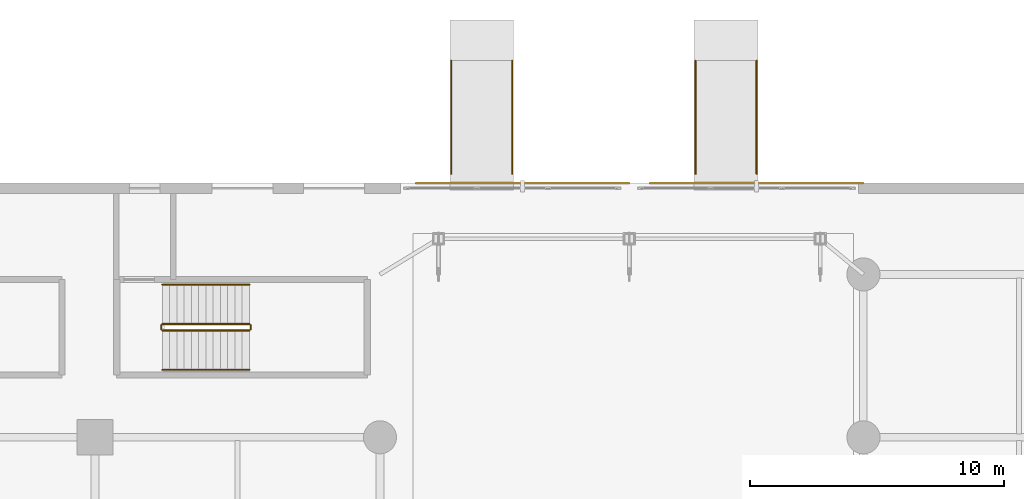
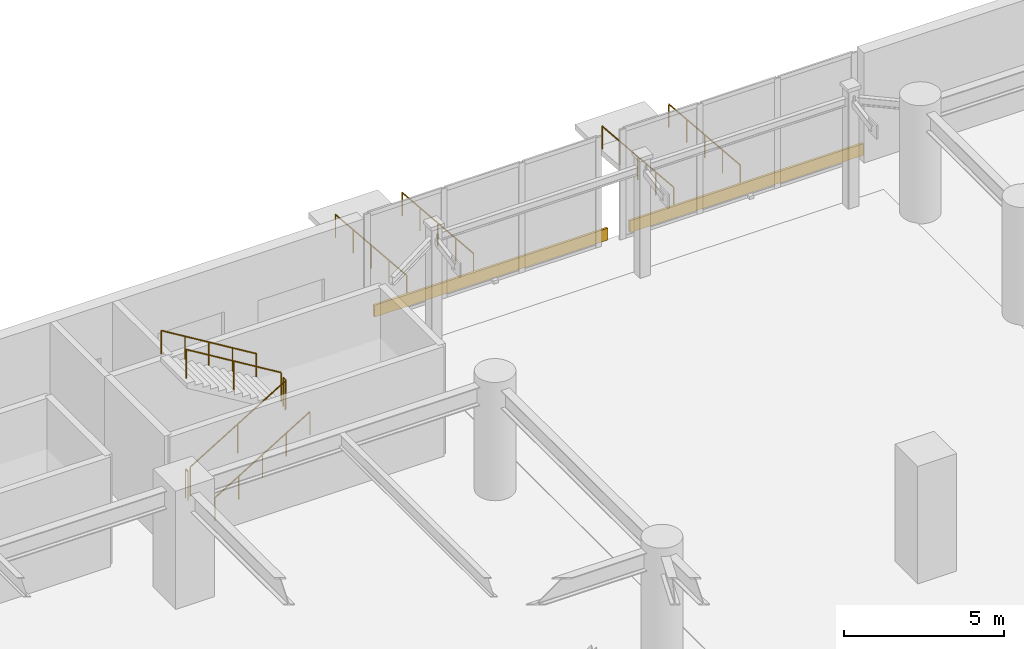
# One storey, part 40 of 42: 10 railings, 2 shading devices.
"""IFC4 building model written with IfcOpenShell, lengths in metres."""

import ifcopenshell
import ifcopenshell.guid

model = None  # the IFC model being written
_history = None  # IfcOwnerHistory: only IFC2X3 demands one
_inside = {}  # id of a spatial element -> (the spatial element, [elements in it])
_under = {}  # id of a project, library or spatial element -> (it, [spatial elements below it])
_declared = {}  # id of a project -> (the project, [libraries it declares])
_typed = {}  # id of a type object -> (the type object, [elements of that type])
_made_of = {}  # id of a material, layer set ... -> (it, [elements and type objects made of it])


def new_model(schema):
    """Start an empty IFC model of exactly this schema.

    Asked for "IFC4X3", IfcOpenShell would pick the latest addendum, in which some entities
    have other attributes; the version numbers below select the first issue.
    IFC2X3 requires an IfcOwnerHistory on every rooted entity: one is made here for all.
    """
    global model, _history
    if schema == "IFC4X3":
        model = ifcopenshell.file(schema_version=(4, 3, 0, 0))
    else:
        model = ifcopenshell.file(schema=schema)
    _inside.clear()
    _under.clear()
    _declared.clear()
    _typed.clear()
    _made_of.clear()
    _history = None
    if model.schema == "IFC2X3":
        org = make("IfcOrganization", Name="unknown")
        user = make(
            "IfcPersonAndOrganization",
            ThePerson=make("IfcPerson", FamilyName="unknown"),
            TheOrganization=org,
        )
        app = make(
            "IfcApplication",
            ApplicationDeveloper=org,
            Version="unknown",
            ApplicationFullName="unknown",
            ApplicationIdentifier="unknown",
        )
        _history = make(
            "IfcOwnerHistory",
            OwningUser=user,
            OwningApplication=app,
            ChangeAction="ADDED",
            CreationDate=0,
        )
    return model


def make(cls, **values):
    """One entity of the class cls with the attributes given. An attribute that is None is left unset."""
    return model.create_entity(
        cls, **{name: value for name, value in values.items() if value is not None}
    )


def rooted(cls, **values):
    """An entity with a GlobalId (a new one), such as an element, a storey or a relation."""
    return make(cls, GlobalId=ifcopenshell.guid.new(), OwnerHistory=_history, **values)


def si_unit(unit_type, name, prefix=None):
    """IfcSIUnit, for example si_unit("LENGTHUNIT", "METRE", prefix="MILLI")."""
    return make("IfcSIUnit", UnitType=unit_type, Prefix=prefix, Name=name)


def assignment(units):
    """IfcUnitAssignment: the units of a project."""
    return None if units is None else make("IfcUnitAssignment", Units=units)


def point(xyz):
    """IfcCartesianPoint."""
    return None if xyz is None else make("IfcCartesianPoint", Coordinates=xyz)


def direction(xyz):
    """IfcDirection."""
    return None if xyz is None else make("IfcDirection", DirectionRatios=xyz)


def frame(location, z_axis=None, x_axis=None):
    """IfcAxis2Placement3D, a coordinate frame: its origin and axes. An axis left out is left unset."""
    return make(
        "IfcAxis2Placement3D",
        Location=point(location),
        Axis=direction(z_axis),
        RefDirection=direction(x_axis),
    )


def frame_2d(location, x_axis=None):
    """IfcAxis2Placement2D, a coordinate frame in the plane: its origin and x axis."""
    return make(
        "IfcAxis2Placement2D", Location=point(location), RefDirection=direction(x_axis)
    )


def origin():
    """The frame at (0, 0, 0) with its axes left unset."""
    return frame((0.0, 0.0, 0.0))


def origin_2d():
    """The frame at (0, 0) in the plane with its x axis left unset."""
    return frame_2d((0.0, 0.0))


def place(relative_to, where):
    """IfcLocalPlacement: puts the frame where relative to a parent placement (None: the world)."""
    return make(
        "IfcLocalPlacement", PlacementRelTo=relative_to, RelativePlacement=where
    )


def context(
    kind, dimensions, precision=None, world=None, true_north=None, identifier=None
):
    """IfcGeometricRepresentationContext, for example the 3D "Model" context."""
    return make(
        "IfcGeometricRepresentationContext",
        ContextIdentifier=identifier,
        ContextType=kind,
        CoordinateSpaceDimension=dimensions,
        Precision=precision,
        WorldCoordinateSystem=world,
        TrueNorth=true_north,
    )


def subcontext(parent, identifier, kind, view, scale=None):
    """IfcGeometricRepresentationSubContext, for example "Body" below "Model"."""
    return make(
        "IfcGeometricRepresentationSubContext",
        ContextIdentifier=identifier,
        ContextType=kind,
        ParentContext=parent,
        TargetScale=scale,
        TargetView=view,
    )


def project(units=None, contexts=None):
    """IfcProject with its units and contexts."""
    return rooted(
        "IfcProject",
        Name="project",
        RepresentationContexts=contexts,
        UnitsInContext=assignment(units),
    )


def spatial(cls, under=None, at=None, **own):
    """A site, building, storey or space (cls), placed at a placement, below another one or the project."""
    s = rooted(cls, ObjectPlacement=at, **own)
    if under is not None:
        _under.setdefault(under.id(), (under, []))[1].append(s)
    return s


def profile(cls, at=None, kind="AREA", **sizes):
    """A parametric profile (cls). Its sizes go by their IFC names, for example OverallWidth=200.0."""
    return make(cls, ProfileType=kind, Position=at, **sizes)


def rectangle(**sizes):
    """IfcRectangleProfileDef."""
    return profile("IfcRectangleProfileDef", **sizes)


def circle(**sizes):
    """IfcCircleProfileDef."""
    return profile("IfcCircleProfileDef", **sizes)


def extrude(swept, where, along, depth):
    """IfcExtrudedAreaSolid: the profile swept, set in the frame where, extruded along a direction by depth."""
    return make(
        "IfcExtrudedAreaSolid",
        SweptArea=swept,
        Position=where,
        ExtrudedDirection=direction(along),
        Depth=depth,
    )


def shape(context_of_items, identifier, shape_type, items):
    """IfcShapeRepresentation: the items that make up one representation, for example the "Body"."""
    return make(
        "IfcShapeRepresentation",
        ContextOfItems=context_of_items,
        RepresentationIdentifier=identifier,
        RepresentationType=shape_type,
        Items=items,
    )


def material(Name=None, Category=None):
    """IfcMaterial."""
    return make("IfcMaterial", Name=Name, Category=Category)


def layer(
    of_material, thickness, ventilated=None, Name=None, Category=None, Priority=None
):
    """IfcMaterialLayer: one layer of a wall or slab, of a material (None: an air gap)."""
    return make(
        "IfcMaterialLayer",
        Material=of_material,
        LayerThickness=thickness,
        IsVentilated=ventilated,
        Name=Name,
        Category=Category,
        Priority=Priority,
    )


def layer_set(layers, Name=None):
    """IfcMaterialLayerSet."""
    return make("IfcMaterialLayerSet", MaterialLayers=layers, LayerSetName=Name)


def made_of(thing, what):
    """Note that an element or type object is made of a material, layer set ...; save() writes the relation."""
    if what is not None:
        _made_of.setdefault(what.id(), (what, []))[1].append(thing)
    return thing


def type_object(cls, material=None, **own):
    """A type object (cls), such as IfcWallType, which elements share."""
    return made_of(rooted(cls, **own), material)


def element(
    cls,
    number,
    at=None,
    inside=None,
    cuts=None,
    type_object=None,
    material=None,
    context=None,
    identifier="Body",
    shape_type=None,
    held_by="IfcProductDefinitionShape",
    body=None,
    shapes=None,
    **own,
):
    """One element of the class cls, such as IfcWall. Its Tag is "e" and its number.

    at: its placement. inside: the storey or other place that contains it. cuts: it is an
    opening in that element (IfcRelVoidsElement). A single representation is given by context,
    identifier, shape_type and body (its items); several are given by shapes. held_by: the class
    of the entity that holds the representations. save() writes the other relations.
    """
    e = rooted(cls, Tag="e%d" % number, ObjectPlacement=at, **own)
    if body is not None:
        shapes = [shape(context, identifier, shape_type, body)]
    if shapes is not None:
        e.Representation = make(held_by, Representations=shapes)
    if inside is not None:
        _inside.setdefault(inside.id(), (inside, []))[1].append(e)
    if cuts is not None:
        rooted(
            "IfcRelVoidsElement", RelatingBuildingElement=cuts, RelatedOpeningElement=e
        )
    if type_object is not None:
        _typed.setdefault(type_object.id(), (type_object, []))[1].append(e)
    return made_of(e, material)


def aggregate(whole, parts):
    """IfcRelAggregates: a whole, such as a stair, and the parts it consists of."""
    return rooted("IfcRelAggregates", RelatingObject=whole, RelatedObjects=parts)


def save(model, path):
    """Write the relations noted so far, then the file.

    IfcRelAggregates (storeys below a building ...), IfcRelContainedInSpatialStructure (elements
    in a storey), IfcRelDefinesByType, IfcRelAssociatesMaterial and IfcRelDeclares: one each for
    every whole, place, type object, material and project.
    """
    for whole, parts in _under.values():
        aggregate(whole, parts)
    for where, things in _inside.values():
        rooted(
            "IfcRelContainedInSpatialStructure",
            RelatedElements=things,
            RelatingStructure=where,
        )
    for kind, things in _typed.values():
        rooted("IfcRelDefinesByType", RelatedObjects=things, RelatingType=kind)
    for what, things in _made_of.values():
        rooted("IfcRelAssociatesMaterial", RelatedObjects=things, RelatingMaterial=what)
    for by, libraries in _declared.values():
        rooted("IfcRelDeclares", RelatingContext=by, RelatedDefinitions=libraries)
    model.write(path)


model = new_model("IFC4")

# Units and contexts
model_context = context("Model", 3, precision=1e-05, world=origin(), true_north=direction((0.0, 1.0)))
body_context = subcontext(model_context, "Body", "Model", "MODEL_VIEW")
ifc_project = project(units=[si_unit("LENGTHUNIT", "METRE"), si_unit("AREAUNIT", "SQUARE_METRE"), si_unit("VOLUMEUNIT", "CUBIC_METRE"), si_unit("PLANEANGLEUNIT", "RADIAN"), si_unit("MASSUNIT", "GRAM", prefix="KILO")], contexts=[model_context])

# Site, building, storey
site_placement = place(None, origin())
site = spatial("IfcSite", under=ifc_project, at=site_placement, CompositionType="ELEMENT")
building_placement = place(site_placement, origin())
building = spatial("IfcBuilding", under=site, at=building_placement, Name="Narakoshi Arena Tower", CompositionType="ELEMENT")
storey_placement = place(building_placement, origin())
storey = spatial("IfcBuildingStorey", under=building, at=storey_placement, Name="L00", CompositionType="ELEMENT", Elevation=0.0)

# Railings
ifc_material_1 = material(Name="Clear low-iron laminated structural glass", Category="glass")
railing_type_1 = type_object("IfcRailingType", Name="RL-BAL-1100", PredefinedType="BALUSTRADE", material=ifc_material_1)
railing_1_placement = place(storey_placement, frame((42.64990234375, 90.199951171875, 0.173095703125)))
element("IfcRailing", 1, at=railing_1_placement, inside=storey, type_object=railing_type_1, Name="L00 AST8 stair guard 1", PredefinedType="BALUSTRADE", context=body_context, shape_type="SweptSolid", body=[
    extrude(circle(Radius=0.02392578125, at=origin_2d()), frame((0.0, 0.0, 1.09619140625), z_axis=(0.854745945586, 0.0, 0.519046595696), x_axis=(0.0, 1.0, 0.0)), (0.0, 0.0, 1.0), 4.00146484375),
    extrude(circle(Radius=0.02099609375, at=origin_2d()), origin(), (0.0, 0.0, 1.0), 1.072021484375),
    extrude(circle(Radius=0.02099609375, at=origin_2d()), frame((1.7099609375, 0.0, 1.03857421875)), (0.0, 0.0, 1.0), 1.072021484375),
    extrude(circle(Radius=0.02099609375, at=origin_2d()), frame((3.420166015625, 0.0, 2.076904296875)), (0.0, 0.0, 1.0), 1.072021484375),
])
railing_2_placement = place(storey_placement, frame((46.1201171875, 90.25, 2.25)))
element("IfcRailing", 2, at=railing_2_placement, inside=storey, type_object=railing_type_1, Name="L00 AST8 stair guard 2", PredefinedType="BALUSTRADE", context=body_context, shape_type="SweptSolid", body=[
    extrude(circle(Radius=0.02392578125, at=origin_2d()), frame((0.0, 0.0, 1.09619140625), z_axis=(0.0, 1.0, 0.0), x_axis=(-1.0, 0.0, 0.0)), (0.0, 0.0, 1.0), 0.14990234375),
    extrude(circle(Radius=0.02099609375, at=origin_2d()), origin(), (0.0, 0.0, 1.0), 1.072021484375),
    extrude(circle(Radius=0.02099609375, at=origin_2d()), frame((0.0, 0.14990234375, 0.0)), (0.0, 0.0, 1.0), 1.072021484375),
])
railing_3_placement = place(storey_placement, frame((46.070068359375, 90.449951171875, 2.423095703125)))
element("IfcRailing", 3, at=railing_3_placement, inside=storey, type_object=railing_type_1, Name="L00 AST8 stair guard 3", PredefinedType="BALUSTRADE", context=body_context, shape_type="SweptSolid", body=[
    extrude(circle(Radius=0.02392578125, at=origin_2d()), frame((0.0, 0.0, 1.09619140625), z_axis=(-0.854745945586, 0.0, 0.519046595696), x_axis=(0.0, -1.0, 0.0)), (0.0, 0.0, 1.0), 4.00146484375),
    extrude(circle(Radius=0.02099609375, at=origin_2d()), origin(), (0.0, 0.0, 1.0), 1.072021484375),
    extrude(circle(Radius=0.02099609375, at=origin_2d()), frame((-1.7099609375, 0.0, 1.03857421875)), (0.0, 0.0, 1.0), 1.072021484375),
    extrude(circle(Radius=0.02099609375, at=origin_2d()), frame((-3.420166015625, 0.0, 2.076904296875)), (0.0, 0.0, 1.0), 1.072021484375),
])
railing_4_placement = place(storey_placement, frame((42.60009765625, 90.25, 0.0)))
element("IfcRailing", 4, at=railing_4_placement, inside=storey, type_object=railing_type_1, Name="L00 AST8 stair guard 4", PredefinedType="BALUSTRADE", context=body_context, shape_type="SweptSolid", body=[
    extrude(circle(Radius=0.02392578125, at=origin_2d()), frame((0.0, 0.0, 1.09619140625), z_axis=(0.0, 1.0, 0.0), x_axis=(-1.0, 0.0, 0.0)), (0.0, 0.0, 1.0), 0.14990234375),
    extrude(circle(Radius=0.02099609375, at=origin_2d()), origin(), (0.0, 0.0, 1.0), 1.072021484375),
    extrude(circle(Radius=0.02099609375, at=origin_2d()), frame((0.0, 0.14990234375, 0.0)), (0.0, 0.0, 1.0), 1.072021484375),
])
ifc_material_2 = material(Name="Brushed bronze stainless steel", Category="steel")
railing_type_2 = type_object("IfcRailingType", Name="RL-HND-900", PredefinedType="HANDRAIL", material=ifc_material_2)
railing_5_placement = place(storey_placement, frame((42.64990234375, 88.64990234375, 0.173095703125)))
element("IfcRailing", 5, at=railing_5_placement, inside=storey, type_object=railing_type_2, Name="L00 AST8 stair handrail 1", PredefinedType="HANDRAIL", context=body_context, shape_type="SweptSolid", body=[
    extrude(circle(Radius=0.02392578125, at=origin_2d()), frame((0.0, 0.0, 0.8759765625), z_axis=(0.854745945586, 0.0, 0.519046595696), x_axis=(0.0, 1.0, 0.0)), (0.0, 0.0, 1.0), 4.00146484375),
    extrude(circle(Radius=0.02099609375, at=origin_2d()), origin(), (0.0, 0.0, 1.0), 0.851806640625),
    extrude(circle(Radius=0.02099609375, at=origin_2d()), frame((0.85498046875, 0.0, 0.519287109375)), (0.0, 0.0, 1.0), 0.851806640625),
    extrude(circle(Radius=0.02099609375, at=origin_2d()), frame((1.7099609375, 0.0, 1.03857421875)), (0.0, 0.0, 1.0), 0.851806640625),
    extrude(circle(Radius=0.02099609375, at=origin_2d()), frame((2.565185546875, 0.0, 1.5576171875)), (0.0, 0.0, 1.0), 0.851806640625),
    extrude(circle(Radius=0.02099609375, at=origin_2d()), frame((3.420166015625, 0.0, 2.076904296875)), (0.0, 0.0, 1.0), 0.851806640625),
])
railing_6_placement = place(storey_placement, frame((46.070068359375, 92.0, 2.423095703125)))
element("IfcRailing", 6, at=railing_6_placement, inside=storey, type_object=railing_type_2, Name="L00 AST8 stair handrail 2", PredefinedType="HANDRAIL", context=body_context, shape_type="SweptSolid", body=[
    extrude(circle(Radius=0.02392578125, at=origin_2d()), frame((0.0, 0.0, 0.8759765625), z_axis=(-0.854745945586, 0.0, 0.519046595696), x_axis=(0.0, -1.0, 0.0)), (0.0, 0.0, 1.0), 4.00146484375),
    extrude(circle(Radius=0.02099609375, at=origin_2d()), origin(), (0.0, 0.0, 1.0), 0.851806640625),
    extrude(circle(Radius=0.02099609375, at=origin_2d()), frame((-0.85498046875, 0.0, 0.519287109375)), (0.0, 0.0, 1.0), 0.851806640625),
    extrude(circle(Radius=0.02099609375, at=origin_2d()), frame((-1.7099609375, 0.0, 1.03857421875)), (0.0, 0.0, 1.0), 0.851806640625),
    extrude(circle(Radius=0.02099609375, at=origin_2d()), frame((-2.565185546875, 0.0, 1.5576171875)), (0.0, 0.0, 1.0), 0.851806640625),
    extrude(circle(Radius=0.02099609375, at=origin_2d()), frame((-3.420166015625, 0.0, 2.076904296875)), (0.0, 0.0, 1.0), 0.851806640625),
])
for number, where, name in (
    (7, (54.0, 100.800048828125, -0.39990234375), "L00 Accessible Ramp Handrail RMP-N1-L"),
    (8, (56.39990234375, 100.800048828125, -0.39990234375), "L00 Accessible Ramp Handrail RMP-N1-R"),
    (9, (63.60009765625, 100.800048828125, -0.39990234375), "L00 Accessible Ramp Handrail RMP-N2-L"),
    (10, (66.0, 100.800048828125, -0.39990234375), "L00 Accessible Ramp Handrail RMP-N2-R"),
):
    element("IfcRailing", number, at=place(storey_placement, frame(where)), inside=storey, type_object=railing_type_2, Name=name, PredefinedType="HANDRAIL", context=body_context, shape_type="SweptSolid", body=[
        extrude(circle(Radius=0.02392578125, at=origin_2d()), frame((0.0, 0.0, 0.8759765625), z_axis=(0.0, -0.996375960288, 0.085058484348), x_axis=(1.0, 0.0, 0.0)), (0.0, 0.0, 1.0), 4.466064453125),
        extrude(circle(Radius=0.02099609375, at=origin_2d()), origin(), (0.0, 0.0, 1.0), 0.851806640625),
        extrude(circle(Radius=0.02099609375, at=origin_2d()), frame((0.0, -1.112548828125, 0.094970703125)), (0.0, 0.0, 1.0), 0.851806640625),
        extrude(circle(Radius=0.02099609375, at=origin_2d()), frame((0.0, -2.22509765625, 0.18994140625)), (0.0, 0.0, 1.0), 0.851806640625),
        extrude(circle(Radius=0.02099609375, at=origin_2d()), frame((0.0, -3.33740234375, 0.284912109375)), (0.0, 0.0, 1.0), 0.851806640625),
        extrude(circle(Radius=0.02099609375, at=origin_2d()), frame((0.0, -4.449951171875, 0.3798828125)), (0.0, 0.0, 1.0), 0.851806640625),
    ])

# Shading devices
ifc_material_3 = material(Name="Anodised bronze aluminium 6063-T6", Category="aluminium")
ifc_layer = layer(ifc_material_3, 0.080078125)
ifc_layer_set = layer_set([ifc_layer], Name="Anodised bronze aluminium 6063-T6")
shading_device_type = type_object("IfcShadingDeviceType", Name="SHD-SUN-CONC", PredefinedType="SHUTTER", material=ifc_layer_set)
for number, where, z_axis, x_axis, name in (
    (11, (66.0, 95.989990234375, 0.0), (0.0, 0.0, 1.0), (-1.0, 0.0, 0.0), "L00 Concourse Horizontal Sunshade CN1"),
    (12, (56.800048828125, 95.989990234375, 0.0), (0.0, 0.0, 1.0), (-1.0, 0.0, 0.0), "L00 Concourse Horizontal Sunshade CN2"),
):
    element("IfcShadingDevice", number, at=place(storey_placement, frame(where, z_axis=z_axis, x_axis=x_axis)), inside=storey, type_object=shading_device_type, Name=name, PredefinedType="SHUTTER", context=body_context, shape_type="SweptSolid", body=[
        extrude(rectangle(XDim=8.39990234375, YDim=0.080078125, at=origin_2d()), origin(), (0.0, 0.0, 1.0), 0.449951171875),
    ])

save(model, "model.ifc")
